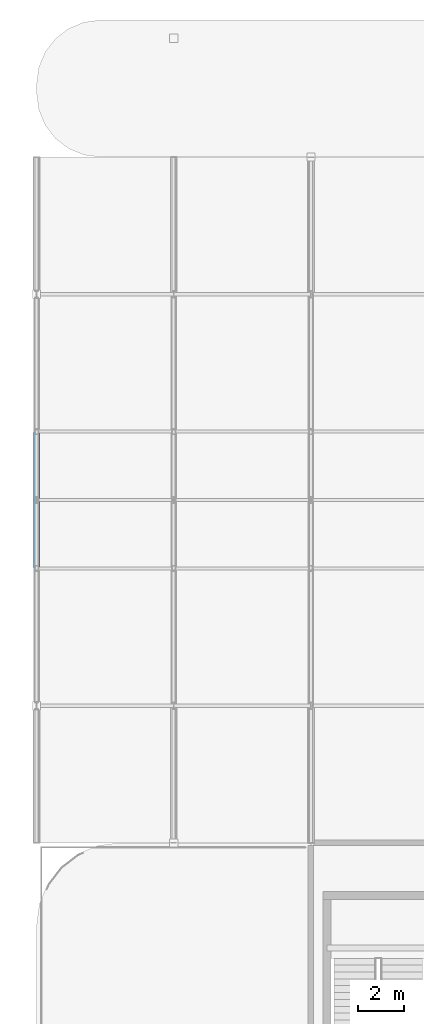
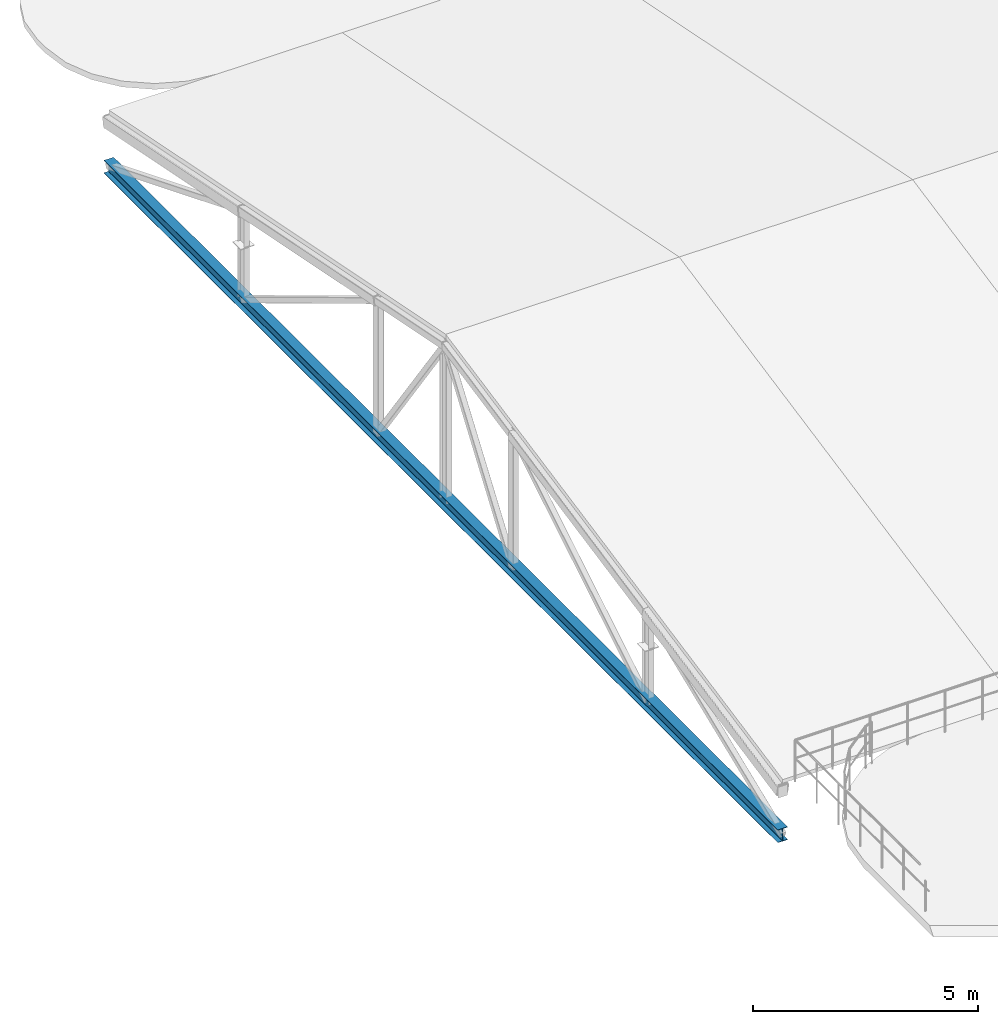
# One storey, part 22 of 83: 1 member.
"""IFC4 building model written with IfcOpenShell, lengths in metres."""

from ifc_helpers import new_model, si_unit, direction, frame, origin, origin_2d, place, context, subcontext, project, spatial, i_section, extrude, material, material_profile, profile_set, type_object, element, save


model = new_model("IFC4")

# Units and contexts
model_context = context("Model", 3, precision=1e-05, world=origin(), true_north=direction((0.0, 1.0)))
body_context = subcontext(model_context, "Body", "Model", "MODEL_VIEW")
ifc_project = project(units=[si_unit("LENGTHUNIT", "METRE"), si_unit("AREAUNIT", "SQUARE_METRE"), si_unit("VOLUMEUNIT", "CUBIC_METRE"), si_unit("PLANEANGLEUNIT", "RADIAN"), si_unit("MASSUNIT", "GRAM", prefix="KILO")], contexts=[model_context])

# Site, building, storey
site_placement = place(None, origin())
site = spatial("IfcSite", under=ifc_project, at=site_placement, CompositionType="ELEMENT")
building_placement = place(site_placement, origin())
building = spatial("IfcBuilding", under=site, at=building_placement, Name="Varnakota Square Police Headquarters", CompositionType="ELEMENT")
storey_placement = place(building_placement, frame((0.0, 0.0, 18.0)))
storey = spatial("IfcBuildingStorey", under=building, at=storey_placement, Name="L04", CompositionType="ELEMENT", Elevation=18.0)

# Member
ifc_material = material(Name="Steel IS 2062 Grade 350", Category="steel")
ifc_material_profile = material_profile(ifc_material, i_section(OverallWidth=0.25, OverallDepth=0.35009765625, WebThickness=0.010009765625, FlangeThickness=0.01171875, FilletRadius=0.011962890625, at=origin_2d()), Name="ISHB 350")
ifc_profile_set = profile_set([ifc_material_profile], Name="Steel IS 2062 Grade 350")
member_type = type_object("IfcMemberType", Name="MEM-TRCH-ISHB350", PredefinedType="CHORD", material=ifc_profile_set)
member_placement = place(storey_placement, frame((6.0, 75.0, -1.5), z_axis=(0.0, 1.0, 0.0), x_axis=(-1.0, 0.0, 0.0)))
element("IfcMember", 1, at=member_placement, inside=storey, type_object=member_type, Name="ROOF TRUSS bottom chord T1", PredefinedType="CHORD", context=body_context, shape_type="SweptSolid", body=[
    extrude(i_section(OverallWidth=0.25, OverallDepth=0.35009765625, WebThickness=0.010009765625, FlangeThickness=0.01171875, FilletRadius=0.011962890625, at=origin_2d()), origin(), (0.0, 0.0, 1.0), 30.0),
])

save(model, "model.ifc")
